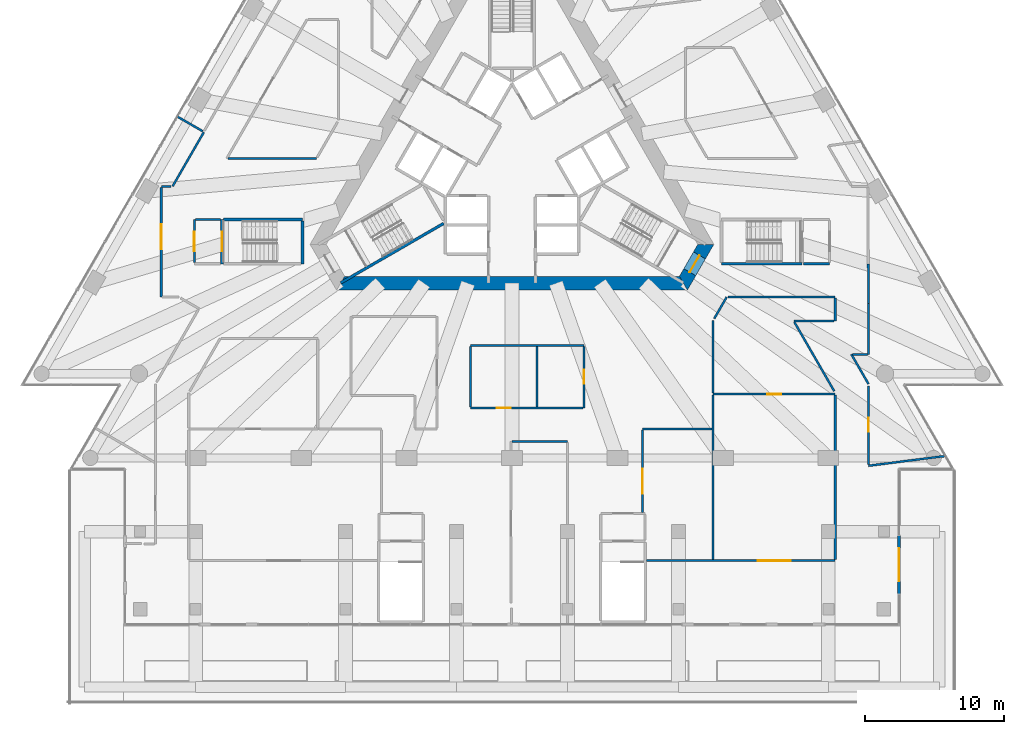
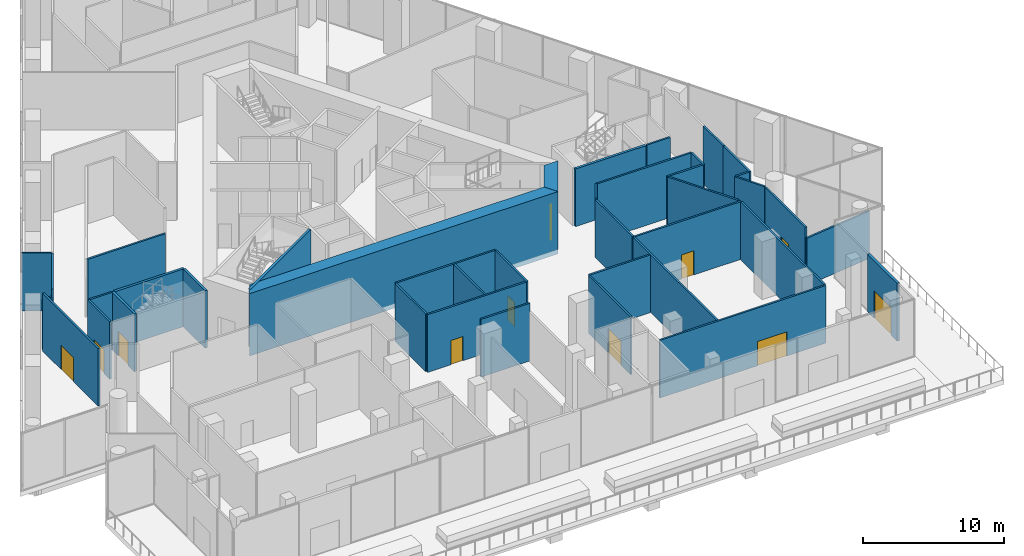
# One storey, part 22 of 29: 40 walls, 11 doors, 11 openings.
"""IFC4 building model written with IfcOpenShell, lengths in metres."""

from ifc_helpers import new_model, si_unit, direction, frame, frame_2d, origin, place, context, subcontext, project, spatial, polyline, rectangle, outline, extrude, material, layer, layer_set, layer_usage, type_object, element, fill, save


model = new_model("IFC4")

# Units and contexts
model_context = context("Model", 3, precision=1e-05, world=origin(), true_north=direction((0.0, 1.0)))
body_context = subcontext(model_context, "Body", "Model", "MODEL_VIEW")
ifc_project = project(units=[si_unit("LENGTHUNIT", "METRE"), si_unit("AREAUNIT", "SQUARE_METRE"), si_unit("VOLUMEUNIT", "CUBIC_METRE"), si_unit("PLANEANGLEUNIT", "RADIAN"), si_unit("MASSUNIT", "GRAM", prefix="KILO")], contexts=[model_context])

# Site, building, storey
site_placement = place(None, origin())
site = spatial("IfcSite", under=ifc_project, at=site_placement, CompositionType="ELEMENT")
building_placement = place(site_placement, origin())
building = spatial("IfcBuilding", under=site, at=building_placement, Name="Triada Interchange Tower", CompositionType="ELEMENT")
storey_placement = place(building_placement, frame((0.0, 0.0, 19.89990234375)))
storey = spatial("IfcBuildingStorey", under=building, at=storey_placement, Name="L03", CompositionType="ELEMENT", Elevation=19.89990234375)

# Wall
ifc_material_1 = material(Name="Concrete C30/37", Category="concrete")
ifc_layer_1 = layer(ifc_material_1, 0.199951171875)
ifc_layer_set_1 = layer_set([ifc_layer_1], Name="CORE WALL 200 REI 240")
wall_type_1 = type_object("IfcWallType", Name="CORE WALL 200 REI 240", PredefinedType="SOLIDWALL", material=ifc_layer_set_1)
wall_1_placement = place(storey_placement, frame((-12.345947265625, -8.97607421875, 0.0), z_axis=(0.0, 0.0, 1.0), x_axis=(0.865987152174, 0.50006624788, 0.0)))
element("IfcWall", 1, at=wall_1_placement, inside=storey, type_object=wall_type_1, Name="Wall L03 154", PredefinedType="SOLIDWALL", context=body_context, shape_type="SweptSolid", body=[
    extrude(rectangle(XDim=8.564697265625, YDim=0.199951171875, at=frame_2d((4.2822265625, 0.0))), origin(), (0.0, 0.0, 1.0), 5.0),
])

# Wall, opening, door
wall_2_placement = place(storey_placement, frame((-20.89990234375, -7.60009765625, 0.0), z_axis=(0.0, 0.0, 1.0), x_axis=(0.0, 1.0, 0.0)))
wall_2 = element("IfcWall", 2, at=wall_2_placement, inside=storey, type_object=wall_type_1, Name="Wall L03 161", PredefinedType="SOLIDWALL", context=body_context, shape_type="SweptSolid", body=[
    extrude(rectangle(XDim=3.2001953125, YDim=0.199951171875, at=frame_2d((1.60009765625, 0.0))), origin(), (0.0, 0.0, 1.0), 5.0),
])
opening_1_placement = place(wall_2_placement, frame((0.89990234375, 0.0, 0.0)))
opening_1 = element("IfcOpeningElement", 3, at=opening_1_placement, cuts=wall_2, Name="Opening D03-11", PredefinedType="OPENING", context=body_context, shape_type="SweptSolid", body=[
    extrude(rectangle(XDim=1.39990234375, YDim=2.10009765625, at=frame_2d((0.699951171875, 1.050048828125))), frame((0.0, 0.10986328125, 0.0), z_axis=(0.0, -1.0, 0.0), x_axis=(1.0, 0.0, 0.0)), (0.0, 0.0, 1.0), 0.219970703125),
])
ifc_material_2 = material(Name="Steel S235 door leaf", Category="steel")
door_type_1 = type_object("IfcDoorType", Name="STAIR DOOR 1400 EI2 90-C5S200", OperationType="DOUBLE_DOOR_SINGLE_SWING", PredefinedType="DOOR", material=ifc_material_2)
door_1_placement = place(opening_1_placement, origin())
door_1 = element("IfcDoor", 4, at=door_1_placement, inside=storey, type_object=door_type_1, Name="Door D03-11 L03", OperationType="DOUBLE_DOOR_SINGLE_SWING", OverallHeight=2.10009765625, OverallWidth=1.39990234375, PredefinedType="DOOR", context=body_context, shape_type="SweptSolid", body=[
    extrude(rectangle(XDim=1.39990234375, YDim=2.10009765625, at=frame_2d((0.699951171875, 1.050048828125))), frame((0.0, 0.02490234375, 0.0), z_axis=(0.0, -1.0, 0.0), x_axis=(1.0, 0.0, 0.0)), (0.0, 0.0, 1.0), 0.050048828125),
])
fill(opening_1, door_1)

# Walls
wall_3_placement = place(storey_placement, frame((-20.800048828125, -4.39990234375, 0.0), z_axis=(0.0, 0.0, 1.0), x_axis=(1.0, 0.0, 0.0)))
element("IfcWall", 5, at=wall_3_placement, inside=storey, type_object=wall_type_1, Name="Wall L03 162", PredefinedType="SOLIDWALL", context=body_context, shape_type="SweptSolid", body=[
    extrude(rectangle(XDim=5.699951171875, YDim=0.199951171875, at=frame_2d((2.85009765625, 0.0))), origin(), (0.0, 0.0, 1.0), 5.0),
])
wall_4_placement = place(storey_placement, frame((-15.10009765625, -7.60009765625, 0.0), z_axis=(0.0, 0.0, 1.0), x_axis=(0.0, 1.0, 0.0)))
element("IfcWall", 6, at=wall_4_placement, inside=storey, type_object=wall_type_1, Name="Wall L03 164", PredefinedType="SOLIDWALL", context=body_context, shape_type="SweptSolid", body=[
    extrude(rectangle(XDim=3.10009765625, YDim=0.199951171875, at=frame_2d((1.550048828125, 0.0))), origin(), (0.0, 0.0, 1.0), 5.0),
])
wall_5_placement = place(storey_placement, frame((15.10009765625, -7.60009765625, 0.0), z_axis=(0.0, 0.0, 1.0), x_axis=(1.0, 0.0, 0.0)))
element("IfcWall", 7, at=wall_5_placement, inside=storey, type_object=wall_type_1, Name="Wall L03 166", PredefinedType="SOLIDWALL", context=body_context, shape_type="SweptSolid", body=[
    extrude(rectangle(XDim=5.7978515625, YDim=0.199951171875, at=frame_2d((2.89892578125, 0.0))), origin(), (0.0, 0.0, 1.0), 5.0),
])
ifc_material_3 = material(Name="Concrete C70/85", Category="concrete")
ifc_layer_2 = layer(ifc_material_3, 1.0)
ifc_layer_set_2 = layer_set([ifc_layer_2], Name="Core wall P 1000")
wall_type_2 = type_object("IfcWallType", Name="Core wall P 1000", PredefinedType="SHEAR", material=ifc_layer_set_2)
wall_6_placement = place(storey_placement, frame((-12.35498046875, -9.0, -0.39990234375), z_axis=(0.0, 0.0, 1.0), x_axis=(1.0, 0.0, 0.0)))
element("IfcWall", 8, at=wall_6_placement, inside=storey, type_object=wall_type_2, Name="Core wall WP04 L03", PredefinedType="SHEAR", context=body_context, shape_type="SweptSolid", body=[
    extrude(outline(polyline([(-0.2890625, -0.5), (1.65625, -0.5), (3.601318359375, -0.5), (5.546630859375, -0.5), (7.491943359375, -0.5), (9.43701171875, -0.5), (11.38232421875, -0.5), (13.32763671875, -0.5), (15.27294921875, -0.5), (17.218017578125, -0.5), (19.163330078125, -0.5), (21.108642578125, -0.5), (23.0537109375, -0.5), (24.9990234375, -0.5), (24.422119140625, 0.5), (22.565673828125, 0.5), (20.709228515625, 0.5), (18.852783203125, 0.5), (16.996337890625, 0.5), (15.139892578125, 0.5), (13.283447265625, 0.5), (11.4267578125, 0.5), (9.5703125, 0.5), (7.7138671875, 0.5), (5.857421875, 0.5), (4.0009765625, 0.5), (2.14453125, 0.5), (0.2880859375, 0.5), (-0.2890625, -0.5)])), origin(), (0.0, 0.0, 1.0), 5.39990234375),
])

# Wall, opening, door
wall_7_placement = place(storey_placement, frame((12.35498046875, -9.0, -0.39990234375), z_axis=(0.0, 0.0, 1.0), x_axis=(0.500077567175, 0.865980615723, 0.0)))
wall_7 = element("IfcWall", 9, at=wall_7_placement, inside=storey, type_object=wall_type_2, Name="Core wall WP05 L03", PredefinedType="SHEAR", context=body_context, shape_type="SweptSolid", body=[
    extrude(outline(polyline([(-0.2880859375, -0.5), (1.616943359375, -0.5), (3.52197265625, -0.5), (2.945068359375, 0.5), (1.6171875, 0.49951171875), (0.2890625, 0.4990234375), (-0.2880859375, -0.5)])), origin(), (0.0, 0.0, 1.0), 5.39990234375),
])
opening_2_placement = place(wall_7_placement, frame((0.9169921875, 0.0, 0.39990234375)))
opening_2 = element("IfcOpeningElement", 10, at=opening_2_placement, cuts=wall_7, Name="Opening D03-43", PredefinedType="OPENING", context=body_context, shape_type="SweptSolid", body=[
    extrude(rectangle(XDim=1.39990234375, YDim=2.10009765625, at=frame_2d((0.699951171875, 1.050048828125))), frame((0.0, 0.510009765625, 0.0), z_axis=(0.0, -1.0, 0.0), x_axis=(1.0, 0.0, 0.0)), (0.0, 0.0, 1.0), 1.02001953125),
])
door_2_placement = place(opening_2_placement, origin())
door_2 = element("IfcDoor", 11, at=door_2_placement, inside=storey, type_object=door_type_1, Name="Door D03-43 L03", OperationType="DOUBLE_DOOR_SINGLE_SWING", OverallHeight=2.10009765625, OverallWidth=1.39990234375, PredefinedType="DOOR", context=body_context, shape_type="SweptSolid", body=[
    extrude(rectangle(XDim=1.39990234375, YDim=2.10009765625, at=frame_2d((0.699951171875, 1.050048828125))), frame((0.0, 0.02490234375, 0.0), z_axis=(0.0, -1.0, 0.0), x_axis=(1.0, 0.0, 0.0)), (0.0, 0.0, 1.0), 0.050048828125),
])
fill(opening_2, door_2)

ifc_material_4 = material(Name="Cement board")
ifc_layer_3 = layer(ifc_material_4, 0.02001953125, Name="Cement board cladding")
ifc_material_5 = material(Name="Sheathing board")
ifc_layer_4 = layer(ifc_material_5, 0.014892578125, Name="Sheathing board")
ifc_material_6 = material(Name="Mineral wool")
ifc_layer_5 = layer(ifc_material_6, 0.14990234375, Name="Mineral wool between steel studs")
ifc_material_7 = material(Name="Gypsum board")
ifc_layer_6 = layer(ifc_material_7, 0.014892578125, Name="Plasterboard lining")
ifc_layer_set_3 = layer_set([ifc_layer_3, ifc_layer_4, ifc_layer_5, ifc_layer_6], Name="External wall 200")
ifc_layer_usage = layer_usage(ifc_layer_set_3, "AXIS2", "POSITIVE", -0.10009765625)
wall_type_3 = type_object("IfcWallType", Name="External wall 200", PredefinedType="ELEMENTEDWALL", material=ifc_layer_set_3)
wall_8_placement = place(storey_placement, frame((27.89990234375, -31.39990234375, 0.0), z_axis=(0.0, 0.0, 1.0), x_axis=(0.0, 1.0, 0.0)))
wall_8 = element("IfcWall", 12, at=wall_8_placement, inside=storey, type_object=wall_type_3, material=ifc_layer_usage, Name="External wall L03 01.1", PredefinedType="ELEMENTEDWALL", context=body_context, shape_type="SweptSolid", body=[
    extrude(rectangle(XDim=4.199951171875, YDim=0.199951171875, at=frame_2d((2.10009765625, 0.0))), origin(), (0.0, 0.0, 1.0), 5.0),
])
opening_3_placement = place(wall_8_placement, frame((0.89990234375, 0.0, 0.0)))
opening_3 = element("IfcOpeningElement", 13, at=opening_3_placement, cuts=wall_8, Name="Opening DX48", PredefinedType="OPENING", context=body_context, shape_type="SweptSolid", body=[
    extrude(rectangle(XDim=2.39990234375, YDim=2.39990234375, at=frame_2d((1.199951171875, 1.199951171875))), frame((0.0, 0.10986328125, 0.0), z_axis=(0.0, -1.0, 0.0), x_axis=(1.0, 0.0, 0.0)), (0.0, 0.0, 1.0), 0.219970703125),
])
ifc_material_8 = material(Name="Aluminium and glass", Category="aluminium")
door_type_2 = type_object("IfcDoorType", Name="Terrace door double", OperationType="DOUBLE_DOOR_SINGLE_SWING", PredefinedType="DOOR", material=ifc_material_8)
door_3_placement = place(opening_3_placement, frame((2.39990234375, 0.0, 0.0), z_axis=(0.0, 0.0, 1.0), x_axis=(-1.0, 0.0, 0.0)))
door_3 = element("IfcDoor", 14, at=door_3_placement, inside=storey, type_object=door_type_2, Name="Door DX48 L03", OperationType="DOUBLE_DOOR_SINGLE_SWING", OverallHeight=2.39990234375, OverallWidth=2.39990234375, PredefinedType="DOOR", context=body_context, shape_type="SweptSolid", body=[
    extrude(rectangle(XDim=2.39990234375, YDim=2.39990234375, at=frame_2d((1.199951171875, 1.199951171875))), frame((0.0, 0.02490234375, 0.0), z_axis=(0.0, -1.0, 0.0), x_axis=(1.0, 0.0, 0.0)), (0.0, 0.0, 1.0), 0.050048828125),
])
fill(opening_3, door_3)

# Walls
ifc_material_9 = material(Name="Gypsum board partition")
ifc_layer_7 = layer(ifc_material_9, 0.14990234375)
ifc_layer_set_4 = layer_set([ifc_layer_7], Name="PARTITION 150")
wall_type_4 = type_object("IfcWallType", Name="PARTITION 150", PredefinedType="PARTITIONING", material=ifc_layer_set_4)
wall_9_placement = place(storey_placement, frame((-24.1259765625, 3.011962890625, 0.0), z_axis=(0.0, 0.0, 1.0), x_axis=(0.86609948408, -0.499871667208, 0.0)))
element("IfcWall", 15, at=wall_9_placement, inside=storey, type_object=wall_type_4, Name="Wall L03 37", PredefinedType="PARTITIONING", context=body_context, shape_type="SweptSolid", body=[
    extrude(rectangle(XDim=2.12451171875, YDim=0.14990234375, at=frame_2d((1.062255859375, 0.0))), origin(), (0.0, 0.0, 1.0), 5.0),
])
ifc_layer_8 = layer(ifc_material_9, 0.14990234375)
ifc_layer_set_5 = layer_set([ifc_layer_8], Name="PARTITION 150 EI 180")
wall_type_5 = type_object("IfcWallType", Name="PARTITION 150 EI 180", PredefinedType="PARTITIONING", material=ifc_layer_set_5)
wall_10_placement = place(storey_placement, frame((21.0, -7.60009765625, 0.0), z_axis=(0.0, 0.0, 1.0), x_axis=(1.0, 0.0, 0.0)))
element("IfcWall", 16, at=wall_10_placement, inside=storey, type_object=wall_type_5, Name="Wall L03 7", PredefinedType="PARTITIONING", context=body_context, shape_type="SweptSolid", body=[
    extrude(rectangle(XDim=1.89990234375, YDim=0.14990234375, at=frame_2d((0.949951171875, 0.0))), origin(), (0.0, 0.0, 1.0), 5.0),
])

# Wall, opening, door
wall_11_placement = place(storey_placement, frame((-22.89990234375, -7.52490234375, 0.0), z_axis=(0.0, 0.0, 1.0), x_axis=(0.0, 1.0, 0.0)))
wall_11 = element("IfcWall", 17, at=wall_11_placement, inside=storey, type_object=wall_type_5, Name="Wall L03 8", PredefinedType="PARTITIONING", context=body_context, shape_type="SweptSolid", body=[
    extrude(rectangle(XDim=3.125, YDim=0.14990234375, at=frame_2d((1.5625, 0.0))), origin(), (0.0, 0.0, 1.0), 5.0),
])
opening_4_placement = place(wall_11_placement, frame((0.824951171875, 0.0, 0.0)))
opening_4 = element("IfcOpeningElement", 18, at=opening_4_placement, cuts=wall_11, Name="Opening D03-12", PredefinedType="OPENING", context=body_context, shape_type="SweptSolid", body=[
    extrude(rectangle(XDim=1.39990234375, YDim=2.10009765625, at=frame_2d((0.699951171875, 1.050048828125))), frame((0.0, 0.0849609375, 0.0), z_axis=(0.0, -1.0, 0.0), x_axis=(1.0, 0.0, 0.0)), (0.0, 0.0, 1.0), 0.169921875),
])
door_4_placement = place(opening_4_placement, origin())
door_4 = element("IfcDoor", 19, at=door_4_placement, inside=storey, type_object=door_type_1, Name="Door D03-12 L03", OperationType="DOUBLE_DOOR_SINGLE_SWING", OverallHeight=2.10009765625, OverallWidth=1.39990234375, PredefinedType="DOOR", context=body_context, shape_type="SweptSolid", body=[
    extrude(rectangle(XDim=1.39990234375, YDim=2.10009765625, at=frame_2d((0.699951171875, 1.050048828125))), frame((0.0, 0.02490234375, 0.0), z_axis=(0.0, -1.0, 0.0), x_axis=(1.0, 0.0, 0.0)), (0.0, 0.0, 1.0), 0.050048828125),
])
fill(opening_4, door_4)

# Wall
wall_12_placement = place(storey_placement, frame((-22.824951171875, -4.39990234375, 0.0), z_axis=(0.0, 0.0, 1.0), x_axis=(1.0, 0.0, 0.0)))
element("IfcWall", 20, at=wall_12_placement, inside=storey, type_object=wall_type_5, Name="Wall L03 9", PredefinedType="PARTITIONING", context=body_context, shape_type="SweptSolid", body=[
    extrude(rectangle(XDim=1.824951171875, YDim=0.14990234375, at=frame_2d((0.91259765625, 0.0))), origin(), (0.0, 0.0, 1.0), 5.0),
])

# Wall, opening, door
wall_13_placement = place(storey_placement, frame((14.5, -17.0, 0.0), z_axis=(0.0, 0.0, 1.0), x_axis=(1.0, 0.0, 0.0)))
wall_13 = element("IfcWall", 21, at=wall_13_placement, inside=storey, type_object=wall_type_5, Name="Wall L03 17", PredefinedType="PARTITIONING", context=body_context, shape_type="SweptSolid", body=[
    extrude(rectangle(XDim=8.800048828125, YDim=0.14990234375, at=frame_2d((4.39990234375, 0.0))), origin(), (0.0, 0.0, 1.0), 5.0),
])
opening_5_placement = place(wall_13_placement, frame((3.89990234375, 0.0, 0.0)))
opening_5 = element("IfcOpeningElement", 22, at=opening_5_placement, cuts=wall_13, Name="Opening D03-23", PredefinedType="OPENING", context=body_context, shape_type="SweptSolid", body=[
    extrude(rectangle(XDim=1.0, YDim=2.10009765625, at=frame_2d((0.5, 1.050048828125))), frame((0.0, 0.0849609375, 0.0), z_axis=(0.0, -1.0, 0.0), x_axis=(1.0, 0.0, 0.0)), (0.0, 0.0, 1.0), 0.169921875),
])
door_type_3 = type_object("IfcDoorType", Name="ROOM DOOR 1000 EI2 45-C5S200", OperationType="NOTDEFINED", PredefinedType="DOOR", material=ifc_material_2)
door_5_placement = place(opening_5_placement, origin())
door_5 = element("IfcDoor", 23, at=door_5_placement, inside=storey, type_object=door_type_3, Name="Door D03-23 L03", OperationType="SINGLE_SWING_LEFT", OverallHeight=2.10009765625, OverallWidth=1.0, PredefinedType="DOOR", context=body_context, shape_type="SweptSolid", body=[
    extrude(rectangle(XDim=1.0, YDim=2.10009765625, at=frame_2d((0.5, 1.050048828125))), frame((0.0, 0.02490234375, 0.0), z_axis=(0.0, -1.0, 0.0), x_axis=(1.0, 0.0, 0.0)), (0.0, 0.0, 1.0), 0.050048828125),
])
fill(opening_5, door_5)

# Walls
wall_14_placement = place(storey_placement, frame((14.5, -16.925048828125, 0.0), z_axis=(0.0, 0.0, 1.0), x_axis=(0.0, 1.0, 0.0)))
element("IfcWall", 24, at=wall_14_placement, inside=storey, type_object=wall_type_5, Name="Wall L03 18", PredefinedType="PARTITIONING", context=body_context, shape_type="SweptSolid", body=[
    extrude(rectangle(XDim=5.239990234375, YDim=0.14990234375, at=frame_2d((2.6201171875, 0.0))), origin(), (0.0, 0.0, 1.0), 5.0),
])
wall_15_placement = place(storey_placement, frame((14.574951171875, -11.554931640625, 0.0), z_axis=(0.0, 0.0, 1.0), x_axis=(0.500087302212, 0.865974993961, 0.0)))
element("IfcWall", 25, at=wall_15_placement, inside=storey, type_object=wall_type_5, Name="Wall L03 19", PredefinedType="PARTITIONING", context=body_context, shape_type="SweptSolid", body=[
    extrude(rectangle(XDim=1.795654296875, YDim=0.14990234375, at=frame_2d((0.89794921875, 0.0))), origin(), (0.0, 0.0, 1.0), 5.0),
])
wall_16_placement = place(storey_placement, frame((15.56005859375, -10.0, 0.0), z_axis=(0.0, 0.0, 1.0), x_axis=(1.0, 0.0, 0.0)))
element("IfcWall", 26, at=wall_16_placement, inside=storey, type_object=wall_type_5, Name="Wall L03 20", PredefinedType="PARTITIONING", context=body_context, shape_type="SweptSolid", body=[
    extrude(rectangle(XDim=7.739990234375, YDim=0.14990234375, at=frame_2d((3.8701171875, 0.0))), origin(), (0.0, 0.0, 1.0), 5.0),
])
wall_17_placement = place(storey_placement, frame((23.300048828125, -11.72509765625, 0.0), z_axis=(0.0, 0.0, 1.0), x_axis=(0.0, 1.0, 0.0)))
element("IfcWall", 27, at=wall_17_placement, inside=storey, type_object=wall_type_5, Name="Wall L03 21", PredefinedType="PARTITIONING", context=body_context, shape_type="SweptSolid", body=[
    extrude(rectangle(XDim=1.650146484375, YDim=0.14990234375, at=frame_2d((0.8251953125, 0.0))), origin(), (0.0, 0.0, 1.0), 5.0),
])
wall_18_placement = place(storey_placement, frame((20.30908203125, -11.72509765625, 0.0), z_axis=(0.0, 0.0, 1.0), x_axis=(1.0, 0.0, 0.0)))
element("IfcWall", 28, at=wall_18_placement, inside=storey, type_object=wall_type_5, Name="Wall L03 22", PredefinedType="PARTITIONING", context=body_context, shape_type="SweptSolid", body=[
    extrude(rectangle(XDim=2.916015625, YDim=0.14990234375, at=frame_2d((1.4580078125, 0.0))), origin(), (0.0, 0.0, 1.0), 5.0),
])
wall_19_placement = place(storey_placement, frame((20.35205078125, -11.800048828125, 0.0), z_axis=(0.0, 0.0, 1.0), x_axis=(0.499940652507, -0.866059665364, 0.0)))
element("IfcWall", 29, at=wall_19_placement, inside=storey, type_object=wall_type_5, Name="Wall L03 23", PredefinedType="PARTITIONING", context=body_context, shape_type="SweptSolid", body=[
    extrude(rectangle(XDim=5.746826171875, YDim=0.14990234375, at=frame_2d((2.87353515625, 0.0))), origin(), (0.0, 0.0, 1.0), 5.0),
])
ifc_layer_9 = layer(ifc_material_9, 0.14990234375)
ifc_layer_set_6 = layer_set([ifc_layer_9], Name="PARTITION 150 EI 90")
wall_type_6 = type_object("IfcWallType", Name="PARTITION 150 EI 90", PredefinedType="PARTITIONING", material=ifc_layer_set_6)
wall_20_placement = place(storey_placement, frame((-24.4619140625, -2.010009765625, 0.0), z_axis=(0.0, 0.0, 1.0), x_axis=(0.499835244236, 0.866120504675, 0.0)))
element("IfcWall", 30, at=wall_20_placement, inside=storey, type_object=wall_type_6, Name="Wall L03 29", PredefinedType="PARTITIONING", context=body_context, shape_type="SweptSolid", body=[
    extrude(rectangle(XDim=4.4970703125, YDim=0.14990234375, at=frame_2d((2.24853515625, 0.0))), origin(), (0.0, 0.0, 1.0), 5.0),
])
wall_21_placement = place(storey_placement, frame((-25.280029296875, -2.02001953125, 0.0), z_axis=(0.0, 0.0, 1.0), x_axis=(1.0, 0.0, 0.0)))
element("IfcWall", 31, at=wall_21_placement, inside=storey, type_object=wall_type_6, Name="Wall L03 30", PredefinedType="PARTITIONING", context=body_context, shape_type="SweptSolid", body=[
    extrude(rectangle(XDim=0.714111328125, YDim=0.14990234375, at=frame_2d((0.35693359375, 0.0))), origin(), (0.0, 0.0, 1.0), 4.400146484375),
])

# Wall, opening, door
wall_22_placement = place(storey_placement, frame((-25.280029296875, -10.0, 0.0), z_axis=(0.0, 0.0, 1.0), x_axis=(0.0, 1.0, 0.0)))
wall_22 = element("IfcWall", 32, at=wall_22_placement, inside=storey, type_object=wall_type_6, Name="Wall L03 32", PredefinedType="PARTITIONING", context=body_context, shape_type="SweptSolid", body=[
    extrude(rectangle(XDim=7.905029296875, YDim=0.14990234375, at=frame_2d((3.95263671875, 0.0))), origin(), (0.0, 0.0, 1.0), 5.0),
])
opening_6_placement = place(wall_22_placement, frame((3.4619140625, 0.0, 0.0)))
opening_6 = element("IfcOpeningElement", 33, at=opening_6_placement, cuts=wall_22, Name="Opening D03-33", PredefinedType="OPENING", context=body_context, shape_type="SweptSolid", body=[
    extrude(rectangle(XDim=1.800048828125, YDim=2.10009765625, at=frame_2d((0.89990234375, 1.050048828125))), frame((0.0, 0.0849609375, 0.0), z_axis=(0.0, -1.0, 0.0), x_axis=(1.0, 0.0, 0.0)), (0.0, 0.0, 1.0), 0.169921875),
])
door_type_4 = type_object("IfcDoorType", Name="SHOP AND HALL ENTRANCE DOOR 1800 EI2 90-C5S200", OperationType="DOUBLE_DOOR_SINGLE_SWING", PredefinedType="DOOR", material=ifc_material_2)
door_6_placement = place(opening_6_placement, origin())
door_6 = element("IfcDoor", 34, at=door_6_placement, inside=storey, type_object=door_type_4, Name="Door D03-33 L03", OperationType="DOUBLE_DOOR_SINGLE_SWING", OverallHeight=2.10009765625, OverallWidth=1.800048828125, PredefinedType="DOOR", context=body_context, shape_type="SweptSolid", body=[
    extrude(rectangle(XDim=1.800048828125, YDim=2.10009765625, at=frame_2d((0.89990234375, 1.050048828125))), frame((0.0, 0.02490234375, 0.0), z_axis=(0.0, -1.0, 0.0), x_axis=(1.0, 0.0, 0.0)), (0.0, 0.0, 1.0), 0.050048828125),
])
fill(opening_6, door_6)

wall_23_placement = place(storey_placement, frame((9.699951171875, -29.0, 0.0), z_axis=(0.0, 0.0, 1.0), x_axis=(1.0, 0.0, 0.0)))
wall_23 = element("IfcWall", 35, at=wall_23_placement, inside=storey, type_object=wall_type_6, Name="Wall L03 39", PredefinedType="PARTITIONING", context=body_context, shape_type="SweptSolid", body=[
    extrude(rectangle(XDim=13.60009765625, YDim=0.14990234375, at=frame_2d((6.800048828125, 0.0))), origin(), (0.0, 0.0, 1.0), 5.0),
])
opening_7_placement = place(wall_23_placement, frame((8.0, 0.0, 0.0)))
opening_7 = element("IfcOpeningElement", 36, at=opening_7_placement, cuts=wall_23, Name="Opening D03-22", PredefinedType="OPENING", context=body_context, shape_type="SweptSolid", body=[
    extrude(rectangle(XDim=2.39990234375, YDim=2.10009765625, at=frame_2d((1.199951171875, 1.050048828125))), frame((0.0, 0.0849609375, 0.0), z_axis=(0.0, -1.0, 0.0), x_axis=(1.0, 0.0, 0.0)), (0.0, 0.0, 1.0), 0.169921875),
])
door_type_5 = type_object("IfcDoorType", Name="SHOP AND HALL ENTRANCE DOOR 2400 EI2 90-C5S200", OperationType="DOUBLE_DOOR_SINGLE_SWING", PredefinedType="DOOR", material=ifc_material_2)
door_7_placement = place(opening_7_placement, origin())
door_7 = element("IfcDoor", 37, at=door_7_placement, inside=storey, type_object=door_type_5, Name="Door D03-22 L03", OperationType="DOUBLE_DOOR_SINGLE_SWING", OverallHeight=2.10009765625, OverallWidth=2.39990234375, PredefinedType="DOOR", context=body_context, shape_type="SweptSolid", body=[
    extrude(rectangle(XDim=2.39990234375, YDim=2.10009765625, at=frame_2d((1.199951171875, 1.050048828125))), frame((0.0, 0.02490234375, 0.0), z_axis=(0.0, -1.0, 0.0), x_axis=(1.0, 0.0, 0.0)), (0.0, 0.0, 1.0), 0.050048828125),
])
fill(opening_7, door_7)

# Walls
wall_24_placement = place(storey_placement, frame((9.39990234375, -19.5, 0.0), z_axis=(0.0, 0.0, 1.0), x_axis=(1.0, 0.0, 0.0)))
element("IfcWall", 38, at=wall_24_placement, inside=storey, type_object=wall_type_6, Name="Wall L03 50", PredefinedType="PARTITIONING", context=body_context, shape_type="SweptSolid", body=[
    extrude(rectangle(XDim=5.025146484375, YDim=0.14990234375, at=frame_2d((2.5126953125, 0.0))), origin(), (0.0, 0.0, 1.0), 5.0),
])
wall_25_placement = place(storey_placement, frame((24.462890625, -14.1259765625, 0.0), z_axis=(0.0, 0.0, 1.0), x_axis=(0.49976524706, -0.866160896041, 0.0)))
element("IfcWall", 39, at=wall_25_placement, inside=storey, type_object=wall_type_6, Name="Wall L03 67", PredefinedType="PARTITIONING", context=body_context, shape_type="SweptSolid", body=[
    extrude(rectangle(XDim=2.469482421875, YDim=0.14990234375, at=frame_2d((1.23486328125, 0.0))), origin(), (0.0, 0.0, 1.0), 5.0),
])
wall_26_placement = place(storey_placement, frame((0.0, -20.39990234375, 0.0), z_axis=(0.0, 0.0, 1.0), x_axis=(1.0, 0.0, 0.0)))
element("IfcWall", 40, at=wall_26_placement, inside=storey, type_object=wall_type_6, Name="Wall L03 70", PredefinedType="PARTITIONING", context=body_context, shape_type="SweptSolid", body=[
    extrude(rectangle(XDim=4.0, YDim=0.14990234375, at=frame_2d((2.0, 0.0))), origin(), (0.0, 0.0, 1.0), 5.0),
])
wall_27_placement = place(storey_placement, frame((-3.0, -13.5, 0.0), z_axis=(0.0, 0.0, 1.0), x_axis=(1.0, 0.0, 0.0)))
element("IfcWall", 41, at=wall_27_placement, inside=storey, type_object=wall_type_6, Name="Wall L03 83", PredefinedType="PARTITIONING", context=body_context, shape_type="SweptSolid", body=[
    extrude(rectangle(XDim=8.199951171875, YDim=0.14990234375, at=frame_2d((4.10009765625, 0.0))), origin(), (0.0, 0.0, 1.0), 5.0),
])

# Wall, opening, door
wall_28_placement = place(storey_placement, frame((5.199951171875, -18.0, 0.0), z_axis=(0.0, 0.0, 1.0), x_axis=(0.0, 1.0, 0.0)))
wall_28 = element("IfcWall", 42, at=wall_28_placement, inside=storey, type_object=wall_type_6, Name="Wall L03 84", PredefinedType="PARTITIONING", context=body_context, shape_type="SweptSolid", body=[
    extrude(rectangle(XDim=4.425048828125, YDim=0.14990234375, at=frame_2d((2.21240234375, 0.0))), origin(), (0.0, 0.0, 1.0), 5.0),
])
opening_8_placement = place(wall_28_placement, frame((1.75, 0.0, 0.0)))
opening_8 = element("IfcOpeningElement", 43, at=opening_8_placement, cuts=wall_28, Name="Opening D03-25", PredefinedType="OPENING", context=body_context, shape_type="SweptSolid", body=[
    extrude(rectangle(XDim=1.0, YDim=2.10009765625, at=frame_2d((0.5, 1.050048828125))), frame((0.0, 0.0849609375, 0.0), z_axis=(0.0, -1.0, 0.0), x_axis=(1.0, 0.0, 0.0)), (0.0, 0.0, 1.0), 0.169921875),
])
door_8_placement = place(opening_8_placement, origin())
door_8 = element("IfcDoor", 44, at=door_8_placement, inside=storey, type_object=door_type_3, Name="Door D03-25 L03", OperationType="SINGLE_SWING_RIGHT", OverallHeight=2.10009765625, OverallWidth=1.0, PredefinedType="DOOR", context=body_context, shape_type="SweptSolid", body=[
    extrude(rectangle(XDim=1.0, YDim=2.10009765625, at=frame_2d((0.5, 1.050048828125))), frame((0.0, 0.02490234375, 0.0), z_axis=(0.0, -1.0, 0.0), x_axis=(1.0, 0.0, 0.0)), (0.0, 0.0, 1.0), 0.050048828125),
])
fill(opening_8, door_8)

wall_29_placement = place(storey_placement, frame((-3.0, -18.0, 0.0), z_axis=(0.0, 0.0, 1.0), x_axis=(1.0, 0.0, 0.0)))
wall_29 = element("IfcWall", 45, at=wall_29_placement, inside=storey, type_object=wall_type_6, Name="Wall L03 85", PredefinedType="PARTITIONING", context=body_context, shape_type="SweptSolid", body=[
    extrude(rectangle(XDim=8.125, YDim=0.14990234375, at=frame_2d((4.0625, 0.0))), origin(), (0.0, 0.0, 1.0), 5.0),
])
opening_9_placement = place(wall_29_placement, frame((1.89990234375, 0.0, 0.0)))
opening_9 = element("IfcOpeningElement", 46, at=opening_9_placement, cuts=wall_29, Name="Opening D03-24", PredefinedType="OPENING", context=body_context, shape_type="SweptSolid", body=[
    extrude(rectangle(XDim=1.0, YDim=2.10009765625, at=frame_2d((0.5, 1.050048828125))), frame((0.0, 0.0849609375, 0.0), z_axis=(0.0, -1.0, 0.0), x_axis=(1.0, 0.0, 0.0)), (0.0, 0.0, 1.0), 0.169921875),
])
door_9_placement = place(opening_9_placement, origin())
door_9 = element("IfcDoor", 47, at=door_9_placement, inside=storey, type_object=door_type_3, Name="Door D03-24 L03", OperationType="SINGLE_SWING_RIGHT", OverallHeight=2.10009765625, OverallWidth=1.0, PredefinedType="DOOR", context=body_context, shape_type="SweptSolid", body=[
    extrude(rectangle(XDim=1.0, YDim=2.10009765625, at=frame_2d((0.5, 1.050048828125))), frame((0.0, 0.02490234375, 0.0), z_axis=(0.0, -1.0, 0.0), x_axis=(1.0, 0.0, 0.0)), (0.0, 0.0, 1.0), 0.050048828125),
])
fill(opening_9, door_9)

# Walls
for number, where, z_axis, x_axis, name in (
    (48, (1.800048828125, -17.925048828125, 0.0), (0.0, 0.0, 1.0), (0.0, 1.0, 0.0), "Wall L03 86"),
    (49, (-3.0, -17.925048828125, 0.0), (0.0, 0.0, 1.0), (0.0, 1.0, 0.0), "Wall L03 87"),
):
    element("IfcWall", number, at=place(storey_placement, frame(where, z_axis=z_axis, x_axis=x_axis)), inside=storey, type_object=wall_type_6, Name=name, PredefinedType="PARTITIONING", context=body_context, shape_type="SweptSolid", body=[
        extrude(rectangle(XDim=4.35009765625, YDim=0.14990234375, at=frame_2d((2.175048828125, 0.0))), origin(), (0.0, 0.0, 1.0), 5.0),
    ])

# Wall, opening, door
wall_30_placement = place(storey_placement, frame((9.39990234375, -25.52490234375, 0.0), z_axis=(0.0, 0.0, 1.0), x_axis=(0.0, 1.0, 0.0)))
wall_30 = element("IfcWall", 50, at=wall_30_placement, inside=storey, type_object=wall_type_6, Name="Wall L03 88", PredefinedType="PARTITIONING", context=body_context, shape_type="SweptSolid", body=[
    extrude(rectangle(XDim=5.949951171875, YDim=0.14990234375, at=frame_2d((2.97509765625, 0.0))), origin(), (0.0, 0.0, 1.0), 5.0),
])
opening_10_placement = place(wall_30_placement, frame((1.35498046875, 0.0, 0.0)))
opening_10 = element("IfcOpeningElement", 51, at=opening_10_placement, cuts=wall_30, Name="Opening D03-21", PredefinedType="OPENING", context=body_context, shape_type="SweptSolid", body=[
    extrude(rectangle(XDim=1.800048828125, YDim=2.10009765625, at=frame_2d((0.89990234375, 1.050048828125))), frame((0.0, 0.0849609375, 0.0), z_axis=(0.0, -1.0, 0.0), x_axis=(1.0, 0.0, 0.0)), (0.0, 0.0, 1.0), 0.169921875),
])
door_10_placement = place(opening_10_placement, origin())
door_10 = element("IfcDoor", 52, at=door_10_placement, inside=storey, type_object=door_type_4, Name="Door D03-21 L03", OperationType="DOUBLE_DOOR_SINGLE_SWING", OverallHeight=2.10009765625, OverallWidth=1.800048828125, PredefinedType="DOOR", context=body_context, shape_type="SweptSolid", body=[
    extrude(rectangle(XDim=1.800048828125, YDim=2.10009765625, at=frame_2d((0.89990234375, 1.050048828125))), frame((0.0, 0.02490234375, 0.0), z_axis=(0.0, -1.0, 0.0), x_axis=(1.0, 0.0, 0.0)), (0.0, 0.0, 1.0), 0.050048828125),
])
fill(opening_10, door_10)

# Walls
for number, where, z_axis, x_axis, name in (
    (53, (23.300048828125, -28.925048828125, 0.0), (0.0, 0.0, 1.0), (0.0, 1.0, 0.0), "Wall L03 91"),
    (54, (14.5, -28.925048828125, 0.0), (0.0, 0.0, 1.0), (0.0, 1.0, 0.0), "Wall L03 92"),
):
    element("IfcWall", number, at=place(storey_placement, frame(where, z_axis=z_axis, x_axis=x_axis)), inside=storey, type_object=wall_type_6, Name=name, PredefinedType="PARTITIONING", context=body_context, shape_type="SweptSolid", body=[
        extrude(rectangle(XDim=11.85009765625, YDim=0.14990234375, at=frame_2d((5.925048828125, 0.0))), origin(), (0.0, 0.0, 1.0), 5.0),
    ])
wall_31_placement = place(storey_placement, frame((25.699951171875, -22.158935546875, 0.0), z_axis=(0.0, 0.0, 1.0), x_axis=(0.992041968398, 0.125907636529, 0.0)))
element("IfcWall", 55, at=wall_31_placement, inside=storey, type_object=wall_type_6, Name="Wall L03 93", PredefinedType="PARTITIONING", context=body_context, shape_type="SweptSolid", body=[
    extrude(rectangle(XDim=5.58251953125, YDim=0.14990234375, at=frame_2d((2.791259765625, 0.0))), origin(), (0.0, 0.0, 1.0), 4.10009765625),
])

# Wall, opening, door
wall_32_placement = place(storey_placement, frame((25.699951171875, -22.0830078125, 0.0), z_axis=(0.0, 0.0, 1.0), x_axis=(0.0, 1.0, 0.0)))
wall_32 = element("IfcWall", 56, at=wall_32_placement, inside=storey, type_object=wall_type_6, Name="Wall L03 94", PredefinedType="PARTITIONING", context=body_context, shape_type="SweptSolid", body=[
    extrude(rectangle(XDim=5.669921875, YDim=0.14990234375, at=frame_2d((2.8349609375, 0.0))), origin(), (0.0, 0.0, 1.0), 5.0),
])
opening_11_placement = place(wall_32_placement, frame((2.3720703125, 0.0, 0.0)))
opening_11 = element("IfcOpeningElement", 57, at=opening_11_placement, cuts=wall_32, Name="Opening D03-38", PredefinedType="OPENING", context=body_context, shape_type="SweptSolid", body=[
    extrude(rectangle(XDim=1.0, YDim=2.10009765625, at=frame_2d((0.5, 1.050048828125))), frame((0.0, 0.0849609375, 0.0), z_axis=(0.0, -1.0, 0.0), x_axis=(1.0, 0.0, 0.0)), (0.0, 0.0, 1.0), 0.169921875),
])
door_type_6 = type_object("IfcDoorType", Name="ROOM DOOR 1000 EI2 90-C5S200", OperationType="NOTDEFINED", PredefinedType="DOOR", material=ifc_material_2)
door_11_placement = place(opening_11_placement, origin())
door_11 = element("IfcDoor", 58, at=door_11_placement, inside=storey, type_object=door_type_6, Name="Door D03-38 L03", OperationType="SINGLE_SWING_LEFT", OverallHeight=2.10009765625, OverallWidth=1.0, PredefinedType="DOOR", context=body_context, shape_type="SweptSolid", body=[
    extrude(rectangle(XDim=1.0, YDim=2.10009765625, at=frame_2d((0.5, 1.050048828125))), frame((0.0, 0.02490234375, 0.0), z_axis=(0.0, -1.0, 0.0), x_axis=(1.0, 0.0, 0.0)), (0.0, 0.0, 1.0), 0.050048828125),
])
fill(opening_11, door_11)

# Walls
wall_33_placement = place(storey_placement, frame((25.699951171875, -14.125, 0.0), z_axis=(0.0, 0.0, 1.0), x_axis=(0.0, 1.0, 0.0)))
element("IfcWall", 59, at=wall_33_placement, inside=storey, type_object=wall_type_6, Name="Wall L03 95", PredefinedType="PARTITIONING", context=body_context, shape_type="SweptSolid", body=[
    extrude(rectangle(XDim=3.6669921875, YDim=0.14990234375, at=frame_2d((1.83349609375, 0.0))), origin(), (0.0, 0.0, 1.0), 5.0),
])
wall_34_placement = place(storey_placement, frame((24.552001953125, -14.125, 0.0), z_axis=(0.0, 0.0, 1.0), x_axis=(1.0, 0.0, 0.0)))
element("IfcWall", 60, at=wall_34_placement, inside=storey, type_object=wall_type_6, Name="Wall L03 96", PredefinedType="PARTITIONING", context=body_context, shape_type="SweptSolid", body=[
    extrude(rectangle(XDim=1.072998046875, YDim=0.14990234375, at=frame_2d((0.53662109375, 0.0))), origin(), (0.0, 0.0, 1.0), 5.0),
])
wall_35_placement = place(storey_placement, frame((25.679931640625, -7.6201171875, 0.0), z_axis=(0.0, 0.0, 1.0), x_axis=(0.007054194748, -0.999975118859, 0.0)))
element("IfcWall", 61, at=wall_35_placement, inside=storey, type_object=wall_type_6, Name="Wall L03 97", PredefinedType="PARTITIONING", context=body_context, shape_type="SweptSolid", body=[
    extrude(rectangle(XDim=2.837890625, YDim=0.14990234375, at=frame_2d((1.4189453125, 0.0))), origin(), (0.0, 0.0, 1.0), 5.0),
])
wall_36_placement = place(storey_placement, frame((-20.467041015625, 0.0, 0.0), z_axis=(0.0, 0.0, 1.0), x_axis=(1.0, 0.0, 0.0)))
element("IfcWall", 62, at=wall_36_placement, inside=storey, type_object=wall_type_6, Name="Wall L03 101", PredefinedType="PARTITIONING", context=body_context, shape_type="SweptSolid", body=[
    extrude(rectangle(XDim=6.380126953125, YDim=0.14990234375, at=frame_2d((3.18994140625, 0.0))), origin(), (0.0, 0.0, 1.0), 5.0),
])

save(model, "model.ifc")
